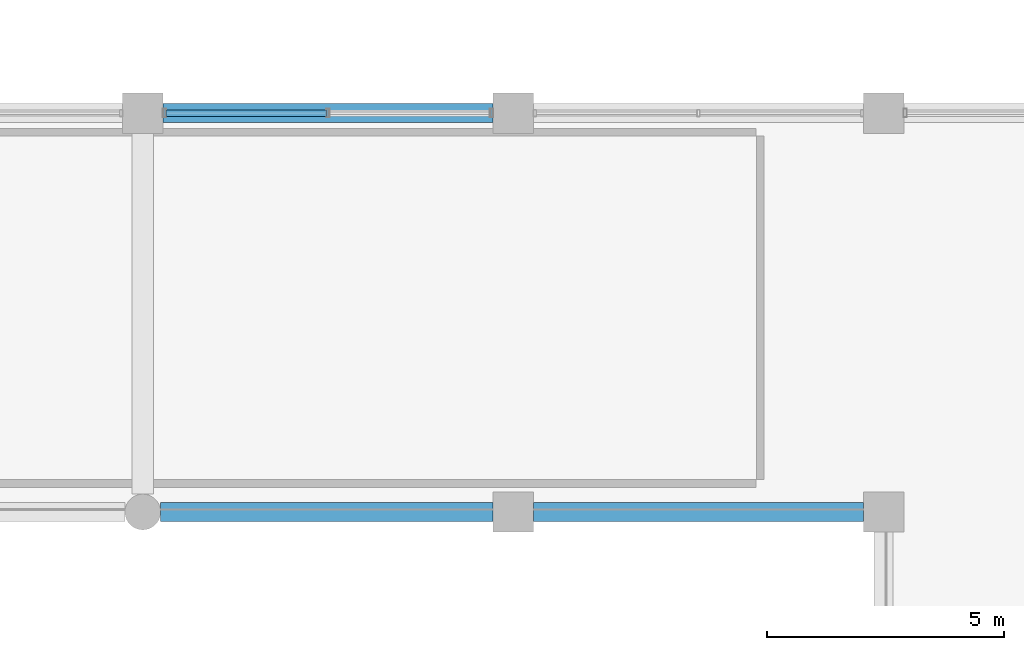
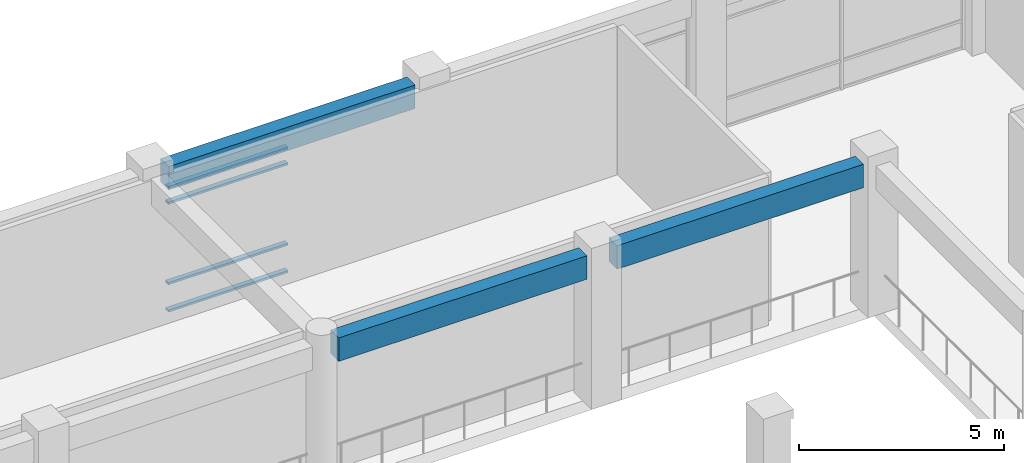
# One storey, part 16 of 79: 4 members, 3 beams, 1 element without a shape of its own.
"""IFC4 building model written with IfcOpenShell, lengths in metres."""

from ifc_helpers import new_model, si_unit, direction, frame, origin, origin_2d, place, context, subcontext, project, spatial, rectangle, hollow_rectangle, extrude, material, material_profile, profile_set, type_object, element, aggregate, save


model = new_model("IFC4")

# Units and contexts
model_context = context("Model", 3, precision=1e-05, world=origin(), true_north=direction((0.0, 1.0)))
body_context = subcontext(model_context, "Body", "Model", "MODEL_VIEW")
ifc_project = project(units=[si_unit("LENGTHUNIT", "METRE"), si_unit("AREAUNIT", "SQUARE_METRE"), si_unit("VOLUMEUNIT", "CUBIC_METRE"), si_unit("PLANEANGLEUNIT", "RADIAN"), si_unit("MASSUNIT", "GRAM", prefix="KILO"), si_unit("THERMODYNAMICTEMPERATUREUNIT", "KELVIN"), si_unit("POWERUNIT", "WATT")], contexts=[model_context])

# Site, building, storey
site_placement = place(None, origin())
site = spatial("IfcSite", under=ifc_project, at=site_placement, CompositionType="ELEMENT")
building_placement = place(site_placement, origin())
building = spatial("IfcBuilding", under=site, at=building_placement, Name="Srebrne Nadtorze General Hospital", CompositionType="ELEMENT")
storey_placement = place(building_placement, frame((0.0, 0.0, 4.800048828125)))
storey = spatial("IfcBuildingStorey", under=building, at=storey_placement, Name="L01", CompositionType="ELEMENT", Elevation=4.800048828125)

# Curtain wall, members
ifc_material_1 = material(Name="Anodised Aluminium", Category="aluminium")
curtain_wall_type = type_object("IfcCurtainWallType", Name="Unitised curtain wall 6950x3750", PredefinedType="NOTDEFINED", material=ifc_material_1)
curtain_wall_placement = place(storey_placement, origin())
curtain_wall = element("IfcCurtainWall", 1, at=curtain_wall_placement, inside=storey, type_object=curtain_wall_type, Name="Curtain wall CW-045", PredefinedType="NOTDEFINED")
ifc_material_2 = material(Name="Anodised Aluminium", Category="aluminium")
ifc_material_profile_1 = material_profile(ifc_material_2, hollow_rectangle(XDim=0.06494140625, YDim=0.139892578125, WallThickness=0.00390625, at=origin_2d()), Name="AL-TRN-65x140")
ifc_profile_set_1 = profile_set([ifc_material_profile_1], Name="Anodised Aluminium")
member_type = type_object("IfcMemberType", Name="Curtain transom 65x140", PredefinedType="USERDEFINED", material=ifc_profile_set_1)
member_1_placement = place(storey_placement, frame((78.489990234375, 25.199951171875, 0.032470703125), z_axis=(1.0, 0.0, 0.0), x_axis=(0.0, 0.0, 1.0)))
member_1 = element("IfcMember", 2, at=member_1_placement, type_object=member_type, Name="CW-045 transom 1.1", ObjectType="TRANSOM", PredefinedType="USERDEFINED", context=body_context, shape_type="SweptSolid", body=[
    extrude(hollow_rectangle(XDim=0.06494140625, YDim=0.139892578125, WallThickness=0.00390625, at=origin_2d()), origin(), (0.0, 0.0, 1.0), 3.37744140625),
])
member_2_placement = place(storey_placement, frame((78.489990234375, 25.199951171875, 0.849853515625), z_axis=(1.0, 0.0, 0.0), x_axis=(0.0, 0.0, 1.0)))
member_2 = element("IfcMember", 3, at=member_2_placement, type_object=member_type, Name="CW-045 transom 1.2", ObjectType="TRANSOM", PredefinedType="USERDEFINED", context=body_context, shape_type="SweptSolid", body=[
    extrude(hollow_rectangle(XDim=0.06494140625, YDim=0.139892578125, WallThickness=0.00390625, at=origin_2d()), origin(), (0.0, 0.0, 1.0), 3.37744140625),
])
member_3_placement = place(storey_placement, frame((78.489990234375, 25.199951171875, 3.25), z_axis=(1.0, 0.0, 0.0), x_axis=(0.0, 0.0, 1.0)))
member_3 = element("IfcMember", 4, at=member_3_placement, type_object=member_type, Name="CW-045 transom 1.3", ObjectType="TRANSOM", PredefinedType="USERDEFINED", context=body_context, shape_type="SweptSolid", body=[
    extrude(hollow_rectangle(XDim=0.06494140625, YDim=0.139892578125, WallThickness=0.00390625, at=origin_2d()), origin(), (0.0, 0.0, 1.0), 3.37744140625),
])
member_4_placement = place(storey_placement, frame((78.489990234375, 25.199951171875, 3.717529296875), z_axis=(1.0, 0.0, 0.0), x_axis=(0.0, 0.0, 1.0)))
member_4 = element("IfcMember", 5, at=member_4_placement, type_object=member_type, Name="CW-045 transom 1.4", ObjectType="TRANSOM", PredefinedType="USERDEFINED", context=body_context, shape_type="SweptSolid", body=[
    extrude(hollow_rectangle(XDim=0.06494140625, YDim=0.139892578125, WallThickness=0.00390625, at=origin_2d()), origin(), (0.0, 0.0, 1.0), 3.37744140625),
])
aggregate(curtain_wall, [member_1, member_2, member_3, member_4])

# Beams
ifc_material_3 = material(Name="Concrete C40/50", Category="concrete")
ifc_material_profile_2 = material_profile(ifc_material_3, rectangle(XDim=0.39990234375, YDim=0.699951171875, at=origin_2d()), Name="RC-BM-400x700")
ifc_profile_set_2 = profile_set([ifc_material_profile_2], Name="Concrete C40/50")
beam_type = type_object("IfcBeamType", Name="Edge beam RC 400x700", PredefinedType="BEAM", material=ifc_profile_set_2)
beam_placement = place(storey_placement, frame((78.375, 16.800048828125, 4.099853515625), z_axis=(1.0, 0.0, 0.0), x_axis=(0.0, 1.0, 0.0)))
element("IfcBeam", 6, at=beam_placement, inside=storey, type_object=beam_type, Name="Beam BM-L01-X-0382", PredefinedType="BEAM", context=body_context, shape_type="SweptSolid", body=[
    extrude(rectangle(XDim=0.39990234375, YDim=0.699951171875, at=origin_2d()), origin(), (0.0, 0.0, 1.0), 7.0),
])
for number, where, z_axis, x_axis, name in (
    (7, (86.22509765625, 16.800048828125, 4.099853515625), (1.0, 0.0, 0.0), (0.0, 1.0, 0.0), "Beam BM-L01-X-0383"),
    (8, (78.425048828125, 25.199951171875, 4.099853515625), (1.0, 0.0, 0.0), (0.0, 1.0, 0.0), "Beam BM-L01-X-0391"),
):
    element("IfcBeam", number, at=place(storey_placement, frame(where, z_axis=z_axis, x_axis=x_axis)), inside=storey, type_object=beam_type, Name=name, PredefinedType="BEAM", context=body_context, shape_type="SweptSolid", body=[
        extrude(rectangle(XDim=0.39990234375, YDim=0.699951171875, at=origin_2d()), origin(), (0.0, 0.0, 1.0), 6.949951171875),
    ])

save(model, "model.ifc")
